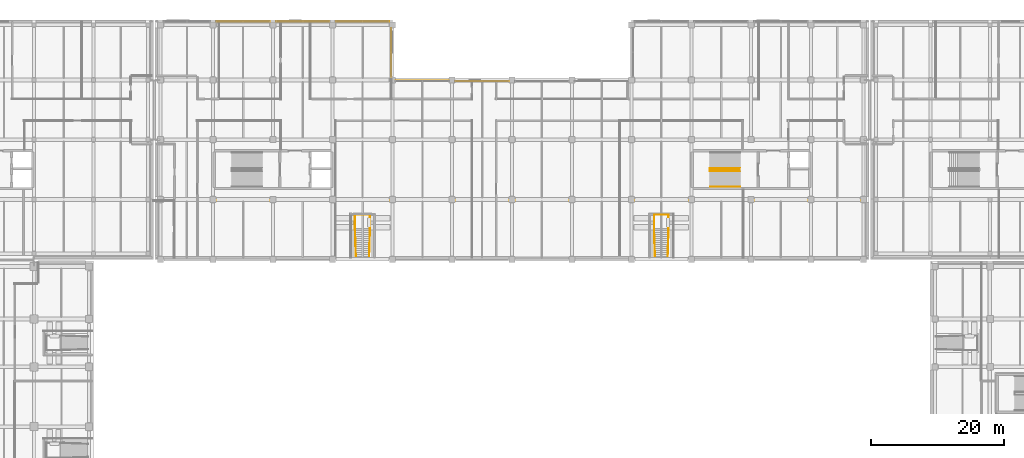
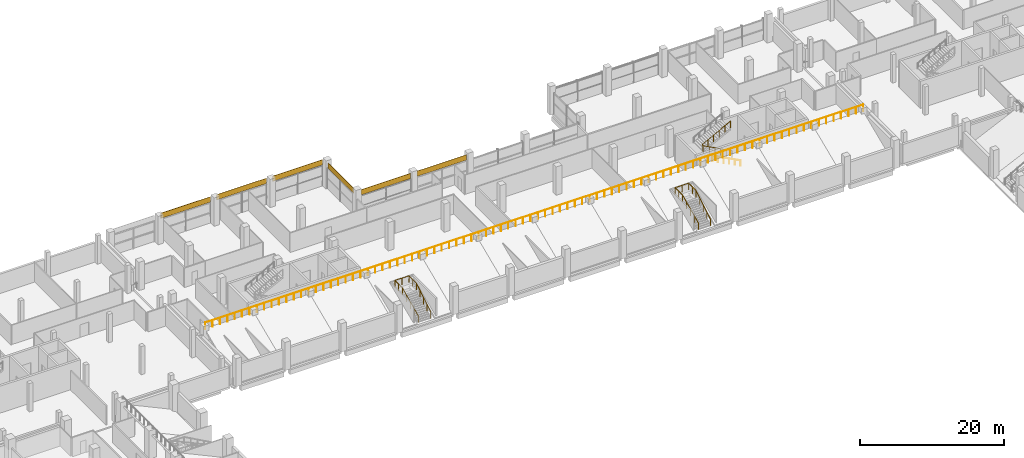
# One storey, part 98 of 100: 6 coverings, 5 railings.
"""IFC4 building model written with IfcOpenShell, lengths in metres."""

import ifcopenshell
import ifcopenshell.guid

model = None  # the IFC model being written
_history = None  # IfcOwnerHistory: only IFC2X3 demands one
_inside = {}  # id of a spatial element -> (the spatial element, [elements in it])
_under = {}  # id of a project, library or spatial element -> (it, [spatial elements below it])
_declared = {}  # id of a project -> (the project, [libraries it declares])
_typed = {}  # id of a type object -> (the type object, [elements of that type])
_made_of = {}  # id of a material, layer set ... -> (it, [elements and type objects made of it])


def new_model(schema):
    """Start an empty IFC model of exactly this schema.

    Asked for "IFC4X3", IfcOpenShell would pick the latest addendum, in which some entities
    have other attributes; the version numbers below select the first issue.
    IFC2X3 requires an IfcOwnerHistory on every rooted entity: one is made here for all.
    """
    global model, _history
    if schema == "IFC4X3":
        model = ifcopenshell.file(schema_version=(4, 3, 0, 0))
    else:
        model = ifcopenshell.file(schema=schema)
    _inside.clear()
    _under.clear()
    _declared.clear()
    _typed.clear()
    _made_of.clear()
    _history = None
    if model.schema == "IFC2X3":
        org = make("IfcOrganization", Name="unknown")
        user = make(
            "IfcPersonAndOrganization",
            ThePerson=make("IfcPerson", FamilyName="unknown"),
            TheOrganization=org,
        )
        app = make(
            "IfcApplication",
            ApplicationDeveloper=org,
            Version="unknown",
            ApplicationFullName="unknown",
            ApplicationIdentifier="unknown",
        )
        _history = make(
            "IfcOwnerHistory",
            OwningUser=user,
            OwningApplication=app,
            ChangeAction="ADDED",
            CreationDate=0,
        )
    return model


def make(cls, **values):
    """One entity of the class cls with the attributes given. An attribute that is None is left unset."""
    return model.create_entity(
        cls, **{name: value for name, value in values.items() if value is not None}
    )


def rooted(cls, **values):
    """An entity with a GlobalId (a new one), such as an element, a storey or a relation."""
    return make(cls, GlobalId=ifcopenshell.guid.new(), OwnerHistory=_history, **values)


def si_unit(unit_type, name, prefix=None):
    """IfcSIUnit, for example si_unit("LENGTHUNIT", "METRE", prefix="MILLI")."""
    return make("IfcSIUnit", UnitType=unit_type, Prefix=prefix, Name=name)


def assignment(units):
    """IfcUnitAssignment: the units of a project."""
    return None if units is None else make("IfcUnitAssignment", Units=units)


def point(xyz):
    """IfcCartesianPoint."""
    return None if xyz is None else make("IfcCartesianPoint", Coordinates=xyz)


def direction(xyz):
    """IfcDirection."""
    return None if xyz is None else make("IfcDirection", DirectionRatios=xyz)


def frame(location, z_axis=None, x_axis=None):
    """IfcAxis2Placement3D, a coordinate frame: its origin and axes. An axis left out is left unset."""
    return make(
        "IfcAxis2Placement3D",
        Location=point(location),
        Axis=direction(z_axis),
        RefDirection=direction(x_axis),
    )


def frame_2d(location, x_axis=None):
    """IfcAxis2Placement2D, a coordinate frame in the plane: its origin and x axis."""
    return make(
        "IfcAxis2Placement2D", Location=point(location), RefDirection=direction(x_axis)
    )


def origin():
    """The frame at (0, 0, 0) with its axes left unset."""
    return frame((0.0, 0.0, 0.0))


def origin_2d():
    """The frame at (0, 0) in the plane with its x axis left unset."""
    return frame_2d((0.0, 0.0))


def place(relative_to, where):
    """IfcLocalPlacement: puts the frame where relative to a parent placement (None: the world)."""
    return make(
        "IfcLocalPlacement", PlacementRelTo=relative_to, RelativePlacement=where
    )


def context(
    kind, dimensions, precision=None, world=None, true_north=None, identifier=None
):
    """IfcGeometricRepresentationContext, for example the 3D "Model" context."""
    return make(
        "IfcGeometricRepresentationContext",
        ContextIdentifier=identifier,
        ContextType=kind,
        CoordinateSpaceDimension=dimensions,
        Precision=precision,
        WorldCoordinateSystem=world,
        TrueNorth=true_north,
    )


def subcontext(parent, identifier, kind, view, scale=None):
    """IfcGeometricRepresentationSubContext, for example "Body" below "Model"."""
    return make(
        "IfcGeometricRepresentationSubContext",
        ContextIdentifier=identifier,
        ContextType=kind,
        ParentContext=parent,
        TargetScale=scale,
        TargetView=view,
    )


def project(units=None, contexts=None):
    """IfcProject with its units and contexts."""
    return rooted(
        "IfcProject",
        Name="project",
        RepresentationContexts=contexts,
        UnitsInContext=assignment(units),
    )


def spatial(cls, under=None, at=None, **own):
    """A site, building, storey or space (cls), placed at a placement, below another one or the project."""
    s = rooted(cls, ObjectPlacement=at, **own)
    if under is not None:
        _under.setdefault(under.id(), (under, []))[1].append(s)
    return s


def profile(cls, at=None, kind="AREA", **sizes):
    """A parametric profile (cls). Its sizes go by their IFC names, for example OverallWidth=200.0."""
    return make(cls, ProfileType=kind, Position=at, **sizes)


def rectangle(**sizes):
    """IfcRectangleProfileDef."""
    return profile("IfcRectangleProfileDef", **sizes)


def circle(**sizes):
    """IfcCircleProfileDef."""
    return profile("IfcCircleProfileDef", **sizes)


def extrude(swept, where, along, depth):
    """IfcExtrudedAreaSolid: the profile swept, set in the frame where, extruded along a direction by depth."""
    return make(
        "IfcExtrudedAreaSolid",
        SweptArea=swept,
        Position=where,
        ExtrudedDirection=direction(along),
        Depth=depth,
    )


def shape(context_of_items, identifier, shape_type, items):
    """IfcShapeRepresentation: the items that make up one representation, for example the "Body"."""
    return make(
        "IfcShapeRepresentation",
        ContextOfItems=context_of_items,
        RepresentationIdentifier=identifier,
        RepresentationType=shape_type,
        Items=items,
    )


def material(Name=None, Category=None):
    """IfcMaterial."""
    return make("IfcMaterial", Name=Name, Category=Category)


def layer(
    of_material, thickness, ventilated=None, Name=None, Category=None, Priority=None
):
    """IfcMaterialLayer: one layer of a wall or slab, of a material (None: an air gap)."""
    return make(
        "IfcMaterialLayer",
        Material=of_material,
        LayerThickness=thickness,
        IsVentilated=ventilated,
        Name=Name,
        Category=Category,
        Priority=Priority,
    )


def layer_set(layers, Name=None):
    """IfcMaterialLayerSet."""
    return make("IfcMaterialLayerSet", MaterialLayers=layers, LayerSetName=Name)


def made_of(thing, what):
    """Note that an element or type object is made of a material, layer set ...; save() writes the relation."""
    if what is not None:
        _made_of.setdefault(what.id(), (what, []))[1].append(thing)
    return thing


def type_object(cls, material=None, **own):
    """A type object (cls), such as IfcWallType, which elements share."""
    return made_of(rooted(cls, **own), material)


def element(
    cls,
    number,
    at=None,
    inside=None,
    cuts=None,
    type_object=None,
    material=None,
    context=None,
    identifier="Body",
    shape_type=None,
    held_by="IfcProductDefinitionShape",
    body=None,
    shapes=None,
    **own,
):
    """One element of the class cls, such as IfcWall. Its Tag is "e" and its number.

    at: its placement. inside: the storey or other place that contains it. cuts: it is an
    opening in that element (IfcRelVoidsElement). A single representation is given by context,
    identifier, shape_type and body (its items); several are given by shapes. held_by: the class
    of the entity that holds the representations. save() writes the other relations.
    """
    e = rooted(cls, Tag="e%d" % number, ObjectPlacement=at, **own)
    if body is not None:
        shapes = [shape(context, identifier, shape_type, body)]
    if shapes is not None:
        e.Representation = make(held_by, Representations=shapes)
    if inside is not None:
        _inside.setdefault(inside.id(), (inside, []))[1].append(e)
    if cuts is not None:
        rooted(
            "IfcRelVoidsElement", RelatingBuildingElement=cuts, RelatedOpeningElement=e
        )
    if type_object is not None:
        _typed.setdefault(type_object.id(), (type_object, []))[1].append(e)
    return made_of(e, material)


def aggregate(whole, parts):
    """IfcRelAggregates: a whole, such as a stair, and the parts it consists of."""
    return rooted("IfcRelAggregates", RelatingObject=whole, RelatedObjects=parts)


def save(model, path):
    """Write the relations noted so far, then the file.

    IfcRelAggregates (storeys below a building ...), IfcRelContainedInSpatialStructure (elements
    in a storey), IfcRelDefinesByType, IfcRelAssociatesMaterial and IfcRelDeclares: one each for
    every whole, place, type object, material and project.
    """
    for whole, parts in _under.values():
        aggregate(whole, parts)
    for where, things in _inside.values():
        rooted(
            "IfcRelContainedInSpatialStructure",
            RelatedElements=things,
            RelatingStructure=where,
        )
    for kind, things in _typed.values():
        rooted("IfcRelDefinesByType", RelatedObjects=things, RelatingType=kind)
    for what, things in _made_of.values():
        rooted("IfcRelAssociatesMaterial", RelatedObjects=things, RelatingMaterial=what)
    for by, libraries in _declared.values():
        rooted("IfcRelDeclares", RelatingContext=by, RelatedDefinitions=libraries)
    model.write(path)


model = new_model("IFC4")

# Units and contexts
model_context = context("Model", 3, precision=1e-05, world=origin(), true_north=direction((0.0, 1.0)))
body_context = subcontext(model_context, "Body", "Model", "MODEL_VIEW")
ifc_project = project(units=[si_unit("LENGTHUNIT", "METRE"), si_unit("AREAUNIT", "SQUARE_METRE"), si_unit("VOLUMEUNIT", "CUBIC_METRE"), si_unit("PLANEANGLEUNIT", "RADIAN"), si_unit("MASSUNIT", "GRAM", prefix="KILO"), si_unit("THERMODYNAMICTEMPERATUREUNIT", "KELVIN"), si_unit("POWERUNIT", "WATT")], contexts=[model_context])

# Site, building, storey
site_placement = place(None, origin())
site = spatial("IfcSite", under=ifc_project, at=site_placement, CompositionType="ELEMENT")
building_placement = place(site_placement, origin())
building = spatial("IfcBuilding", under=site, at=building_placement, Name="Sindhuravela Promenade Stadium", CompositionType="ELEMENT")
storey_placement = place(building_placement, frame((0.0, 0.0, 4.800048828125)))
storey = spatial("IfcBuildingStorey", under=building, at=storey_placement, Name="L01", CompositionType="ELEMENT", Elevation=4.800048828125)

# Coverings
ifc_material_1 = material(Name="Polychrome trencadis ceramic mosaic", Category="masonry")
ifc_layer_1 = layer(ifc_material_1, 0.034912109375)
ifc_layer_set_1 = layer_set([ifc_layer_1], Name="Polychrome trencadis ceramic mosaic")
covering_type_1 = type_object("IfcCoveringType", Name="CV-TRENC-1", PredefinedType="CLADDING", material=ifc_layer_set_1)
covering_1_placement = place(storey_placement, frame((76.5, 161.820068359375, 3.55517578125), z_axis=(0.0, 0.0, 1.0), x_axis=(1.0, 0.0, 0.0)))
element("IfcCovering", 1, at=covering_1_placement, inside=storey, type_object=covering_type_1, Name="Trencadis ceramic mosaic spandrel frieze NORTH L01-256", PredefinedType="CLADDING", context=body_context, shape_type="SweptSolid", body=[
    extrude(rectangle(XDim=7.969970703125, YDim=0.034912109375, at=origin_2d()), origin(), (0.0, 0.0, 1.0), 0.905029296875),
])
covering_2_placement = place(storey_placement, frame((89.820068359375, 157.14990234375, 3.55517578125), z_axis=(0.0, 0.0, 1.0), x_axis=(0.0, -1.0, 0.0)))
element("IfcCovering", 2, at=covering_2_placement, inside=storey, type_object=covering_type_1, Name="Trencadis ceramic mosaic spandrel frieze NORTH L01-258", PredefinedType="CLADDING", context=body_context, shape_type="SweptSolid", body=[
    extrude(rectangle(XDim=7.27001953125, YDim=0.034912109375, at=origin_2d()), origin(), (0.0, 0.0, 1.0), 0.905029296875),
])
covering_3_placement = place(storey_placement, frame((103.5, 152.820068359375, 3.55517578125), z_axis=(0.0, 0.0, 1.0), x_axis=(1.0, 0.0, 0.0)))
element("IfcCovering", 3, at=covering_3_placement, inside=storey, type_object=covering_type_1, Name="Trencadis ceramic mosaic spandrel frieze NORTH L01-260", PredefinedType="CLADDING", context=body_context, shape_type="SweptSolid", body=[
    extrude(rectangle(XDim=7.969970703125, YDim=0.034912109375, at=origin_2d()), origin(), (0.0, 0.0, 1.0), 0.905029296875),
])
ifc_layer_2 = layer(ifc_material_1, 0.050048828125)
ifc_layer_set_2 = layer_set([ifc_layer_2], Name="Polychrome trencadis ceramic mosaic")
covering_type_2 = type_object("IfcCoveringType", Name="CV-TRENC-2", PredefinedType="CLADDING", material=ifc_layer_set_2)
for number, where, z_axis, x_axis, name in (
    (4, (67.5, 161.820068359375, 3.55517578125), (0.0, 0.0, 1.0), (1.0, 0.0, 0.0), "Trencadis ceramic mosaic spandrel frieze NORTH L01-255"),
    (5, (85.5, 161.820068359375, 3.55517578125), (0.0, 0.0, 1.0), (1.0, 0.0, 0.0), "Trencadis ceramic mosaic spandrel frieze NORTH L01-257"),
    (6, (94.5, 152.820068359375, 3.55517578125), (0.0, 0.0, 1.0), (1.0, 0.0, 0.0), "Trencadis ceramic mosaic spandrel frieze NORTH L01-259"),
):
    element("IfcCovering", number, at=place(storey_placement, frame(where, z_axis=z_axis, x_axis=x_axis)), inside=storey, type_object=covering_type_2, Name=name, PredefinedType="CLADDING", context=body_context, shape_type="SweptSolid", body=[
        extrude(rectangle(XDim=7.969970703125, YDim=0.050048828125, at=origin_2d()), origin(), (0.0, 0.0, 1.0), 0.905029296875),
    ])

# Railings
ifc_material_2 = material(Name="Architectural wrought steel E350", Category="steel")
railing_type_1 = type_object("IfcRailingType", Name="RL-GRD-1150", PredefinedType="GUARDRAIL", material=ifc_material_2)
railing_1_placement = place(storey_placement, frame((55.10009765625, 134.85009765625, 4.050048828125)))
element("IfcRailing", 7, at=railing_1_placement, inside=storey, type_object=railing_type_1, Name="Stand bowl crowd barrier GR01-102", PredefinedType="GUARDRAIL", context=body_context, shape_type="SweptSolid", body=[
    extrude(circle(Radius=0.02392578125, at=origin_2d()), frame((0.0, 0.0, 1.1259765625), z_axis=(1.0, 0.0, 0.0), x_axis=(0.0, 1.0, 0.0)), (0.0, 0.0, 1.0), 105.7998046875),
    extrude(circle(Radius=0.02099609375, at=origin_2d()), origin(), (0.0, 0.0, 1.0), 1.101806640625),
    extrude(circle(Radius=0.02099609375, at=origin_2d()), frame((1.188720703125, 0.0, 0.0)), (0.0, 0.0, 1.0), 1.101806640625),
    extrude(circle(Radius=0.02099609375, at=origin_2d()), frame((2.37744140625, 0.0, 0.0)), (0.0, 0.0, 1.0), 1.101806640625),
    extrude(circle(Radius=0.02099609375, at=origin_2d()), frame((3.56640625, 0.0, 0.0)), (0.0, 0.0, 1.0), 1.101806640625),
    extrude(circle(Radius=0.02099609375, at=origin_2d()), frame((4.755126953125, 0.0, 0.0)), (0.0, 0.0, 1.0), 1.101806640625),
    extrude(circle(Radius=0.02099609375, at=origin_2d()), frame((5.94384765625, 0.0, 0.0)), (0.0, 0.0, 1.0), 1.101806640625),
    extrude(circle(Radius=0.02099609375, at=origin_2d()), frame((7.132568359375, 0.0, 0.0)), (0.0, 0.0, 1.0), 1.101806640625),
    extrude(circle(Radius=0.02099609375, at=origin_2d()), frame((8.3212890625, 0.0, 0.0)), (0.0, 0.0, 1.0), 1.101806640625),
    extrude(circle(Radius=0.02099609375, at=origin_2d()), frame((9.510009765625, 0.0, 0.0)), (0.0, 0.0, 1.0), 1.101806640625),
    extrude(circle(Radius=0.02099609375, at=origin_2d()), frame((10.698974609375, 0.0, 0.0)), (0.0, 0.0, 1.0), 1.101806640625),
    extrude(circle(Radius=0.02099609375, at=origin_2d()), frame((11.8876953125, 0.0, 0.0)), (0.0, 0.0, 1.0), 1.101806640625),
    extrude(circle(Radius=0.02099609375, at=origin_2d()), frame((13.076416015625, 0.0, 0.0)), (0.0, 0.0, 1.0), 1.101806640625),
    extrude(circle(Radius=0.02099609375, at=origin_2d()), frame((14.26513671875, 0.0, 0.0)), (0.0, 0.0, 1.0), 1.101806640625),
    extrude(circle(Radius=0.02099609375, at=origin_2d()), frame((15.453857421875, 0.0, 0.0)), (0.0, 0.0, 1.0), 1.101806640625),
    extrude(circle(Radius=0.02099609375, at=origin_2d()), frame((16.642578125, 0.0, 0.0)), (0.0, 0.0, 1.0), 1.101806640625),
    extrude(circle(Radius=0.02099609375, at=origin_2d()), frame((17.83154296875, 0.0, 0.0)), (0.0, 0.0, 1.0), 1.101806640625),
    extrude(circle(Radius=0.02099609375, at=origin_2d()), frame((19.020263671875, 0.0, 0.0)), (0.0, 0.0, 1.0), 1.101806640625),
    extrude(circle(Radius=0.02099609375, at=origin_2d()), frame((20.208984375, 0.0, 0.0)), (0.0, 0.0, 1.0), 1.101806640625),
    extrude(circle(Radius=0.02099609375, at=origin_2d()), frame((21.397705078125, 0.0, 0.0)), (0.0, 0.0, 1.0), 1.101806640625),
    extrude(circle(Radius=0.02099609375, at=origin_2d()), frame((22.58642578125, 0.0, 0.0)), (0.0, 0.0, 1.0), 1.101806640625),
    extrude(circle(Radius=0.02099609375, at=origin_2d()), frame((23.775146484375, 0.0, 0.0)), (0.0, 0.0, 1.0), 1.101806640625),
    extrude(circle(Radius=0.02099609375, at=origin_2d()), frame((24.964111328125, 0.0, 0.0)), (0.0, 0.0, 1.0), 1.101806640625),
    extrude(circle(Radius=0.02099609375, at=origin_2d()), frame((26.15283203125, 0.0, 0.0)), (0.0, 0.0, 1.0), 1.101806640625),
    extrude(circle(Radius=0.02099609375, at=origin_2d()), frame((27.341552734375, 0.0, 0.0)), (0.0, 0.0, 1.0), 1.101806640625),
    extrude(circle(Radius=0.02099609375, at=origin_2d()), frame((28.5302734375, 0.0, 0.0)), (0.0, 0.0, 1.0), 1.101806640625),
    extrude(circle(Radius=0.02099609375, at=origin_2d()), frame((29.718994140625, 0.0, 0.0)), (0.0, 0.0, 1.0), 1.101806640625),
    extrude(circle(Radius=0.02099609375, at=origin_2d()), frame((30.90771484375, 0.0, 0.0)), (0.0, 0.0, 1.0), 1.101806640625),
    extrude(circle(Radius=0.02099609375, at=origin_2d()), frame((32.0966796875, 0.0, 0.0)), (0.0, 0.0, 1.0), 1.101806640625),
    extrude(circle(Radius=0.02099609375, at=origin_2d()), frame((33.285400390625, 0.0, 0.0)), (0.0, 0.0, 1.0), 1.101806640625),
    extrude(circle(Radius=0.02099609375, at=origin_2d()), frame((34.47412109375, 0.0, 0.0)), (0.0, 0.0, 1.0), 1.101806640625),
    extrude(circle(Radius=0.02099609375, at=origin_2d()), frame((35.662841796875, 0.0, 0.0)), (0.0, 0.0, 1.0), 1.101806640625),
    extrude(circle(Radius=0.02099609375, at=origin_2d()), frame((36.8515625, 0.0, 0.0)), (0.0, 0.0, 1.0), 1.101806640625),
    extrude(circle(Radius=0.02099609375, at=origin_2d()), frame((38.040283203125, 0.0, 0.0)), (0.0, 0.0, 1.0), 1.101806640625),
    extrude(circle(Radius=0.02099609375, at=origin_2d()), frame((39.229248046875, 0.0, 0.0)), (0.0, 0.0, 1.0), 1.101806640625),
    extrude(circle(Radius=0.02099609375, at=origin_2d()), frame((40.41796875, 0.0, 0.0)), (0.0, 0.0, 1.0), 1.101806640625),
    extrude(circle(Radius=0.02099609375, at=origin_2d()), frame((41.606689453125, 0.0, 0.0)), (0.0, 0.0, 1.0), 1.101806640625),
    extrude(circle(Radius=0.02099609375, at=origin_2d()), frame((42.79541015625, 0.0, 0.0)), (0.0, 0.0, 1.0), 1.101806640625),
    extrude(circle(Radius=0.02099609375, at=origin_2d()), frame((43.984130859375, 0.0, 0.0)), (0.0, 0.0, 1.0), 1.101806640625),
    extrude(circle(Radius=0.02099609375, at=origin_2d()), frame((45.1728515625, 0.0, 0.0)), (0.0, 0.0, 1.0), 1.101806640625),
    extrude(circle(Radius=0.02099609375, at=origin_2d()), frame((46.36181640625, 0.0, 0.0)), (0.0, 0.0, 1.0), 1.101806640625),
    extrude(circle(Radius=0.02099609375, at=origin_2d()), frame((47.550537109375, 0.0, 0.0)), (0.0, 0.0, 1.0), 1.101806640625),
    extrude(circle(Radius=0.02099609375, at=origin_2d()), frame((48.7392578125, 0.0, 0.0)), (0.0, 0.0, 1.0), 1.101806640625),
    extrude(circle(Radius=0.02099609375, at=origin_2d()), frame((49.927978515625, 0.0, 0.0)), (0.0, 0.0, 1.0), 1.101806640625),
    extrude(circle(Radius=0.02099609375, at=origin_2d()), frame((51.11669921875, 0.0, 0.0)), (0.0, 0.0, 1.0), 1.101806640625),
    extrude(circle(Radius=0.02099609375, at=origin_2d()), frame((52.305419921875, 0.0, 0.0)), (0.0, 0.0, 1.0), 1.101806640625),
    extrude(circle(Radius=0.02099609375, at=origin_2d()), frame((53.494384765625, 0.0, 0.0)), (0.0, 0.0, 1.0), 1.101806640625),
    extrude(circle(Radius=0.02099609375, at=origin_2d()), frame((54.68310546875, 0.0, 0.0)), (0.0, 0.0, 1.0), 1.101806640625),
    extrude(circle(Radius=0.02099609375, at=origin_2d()), frame((55.871826171875, 0.0, 0.0)), (0.0, 0.0, 1.0), 1.101806640625),
    extrude(circle(Radius=0.02099609375, at=origin_2d()), frame((57.060546875, 0.0, 0.0)), (0.0, 0.0, 1.0), 1.101806640625),
    extrude(circle(Radius=0.02099609375, at=origin_2d()), frame((58.249267578125, 0.0, 0.0)), (0.0, 0.0, 1.0), 1.101806640625),
    extrude(circle(Radius=0.02099609375, at=origin_2d()), frame((59.43798828125, 0.0, 0.0)), (0.0, 0.0, 1.0), 1.101806640625),
    extrude(circle(Radius=0.02099609375, at=origin_2d()), frame((60.626953125, 0.0, 0.0)), (0.0, 0.0, 1.0), 1.101806640625),
    extrude(circle(Radius=0.02099609375, at=origin_2d()), frame((61.815673828125, 0.0, 0.0)), (0.0, 0.0, 1.0), 1.101806640625),
    extrude(circle(Radius=0.02099609375, at=origin_2d()), frame((63.00439453125, 0.0, 0.0)), (0.0, 0.0, 1.0), 1.101806640625),
    extrude(circle(Radius=0.02099609375, at=origin_2d()), frame((64.193115234375, 0.0, 0.0)), (0.0, 0.0, 1.0), 1.101806640625),
    extrude(circle(Radius=0.02099609375, at=origin_2d()), frame((65.3818359375, 0.0, 0.0)), (0.0, 0.0, 1.0), 1.101806640625),
    extrude(circle(Radius=0.02099609375, at=origin_2d()), frame((66.570556640625, 0.0, 0.0)), (0.0, 0.0, 1.0), 1.101806640625),
    extrude(circle(Radius=0.02099609375, at=origin_2d()), frame((67.759521484375, 0.0, 0.0)), (0.0, 0.0, 1.0), 1.101806640625),
    extrude(circle(Radius=0.02099609375, at=origin_2d()), frame((68.9482421875, 0.0, 0.0)), (0.0, 0.0, 1.0), 1.101806640625),
    extrude(circle(Radius=0.02099609375, at=origin_2d()), frame((70.136962890625, 0.0, 0.0)), (0.0, 0.0, 1.0), 1.101806640625),
    extrude(circle(Radius=0.02099609375, at=origin_2d()), frame((71.32568359375, 0.0, 0.0)), (0.0, 0.0, 1.0), 1.101806640625),
    extrude(circle(Radius=0.02099609375, at=origin_2d()), frame((72.514404296875, 0.0, 0.0)), (0.0, 0.0, 1.0), 1.101806640625),
    extrude(circle(Radius=0.02099609375, at=origin_2d()), frame((73.703125, 0.0, 0.0)), (0.0, 0.0, 1.0), 1.101806640625),
    extrude(circle(Radius=0.02099609375, at=origin_2d()), frame((74.89208984375, 0.0, 0.0)), (0.0, 0.0, 1.0), 1.101806640625),
    extrude(circle(Radius=0.02099609375, at=origin_2d()), frame((76.080810546875, 0.0, 0.0)), (0.0, 0.0, 1.0), 1.101806640625),
    extrude(circle(Radius=0.02099609375, at=origin_2d()), frame((77.26953125, 0.0, 0.0)), (0.0, 0.0, 1.0), 1.101806640625),
    extrude(circle(Radius=0.02099609375, at=origin_2d()), frame((78.458251953125, 0.0, 0.0)), (0.0, 0.0, 1.0), 1.101806640625),
    extrude(circle(Radius=0.02099609375, at=origin_2d()), frame((79.64697265625, 0.0, 0.0)), (0.0, 0.0, 1.0), 1.101806640625),
    extrude(circle(Radius=0.02099609375, at=origin_2d()), frame((80.835693359375, 0.0, 0.0)), (0.0, 0.0, 1.0), 1.101806640625),
    extrude(circle(Radius=0.02099609375, at=origin_2d()), frame((82.024658203125, 0.0, 0.0)), (0.0, 0.0, 1.0), 1.101806640625),
    extrude(circle(Radius=0.02099609375, at=origin_2d()), frame((83.21337890625, 0.0, 0.0)), (0.0, 0.0, 1.0), 1.101806640625),
    extrude(circle(Radius=0.02099609375, at=origin_2d()), frame((84.402099609375, 0.0, 0.0)), (0.0, 0.0, 1.0), 1.101806640625),
    extrude(circle(Radius=0.02099609375, at=origin_2d()), frame((85.5908203125, 0.0, 0.0)), (0.0, 0.0, 1.0), 1.101806640625),
    extrude(circle(Radius=0.02099609375, at=origin_2d()), frame((86.779541015625, 0.0, 0.0)), (0.0, 0.0, 1.0), 1.101806640625),
    extrude(circle(Radius=0.02099609375, at=origin_2d()), frame((87.96826171875, 0.0, 0.0)), (0.0, 0.0, 1.0), 1.101806640625),
    extrude(circle(Radius=0.02099609375, at=origin_2d()), frame((89.1572265625, 0.0, 0.0)), (0.0, 0.0, 1.0), 1.101806640625),
    extrude(circle(Radius=0.02099609375, at=origin_2d()), frame((90.345947265625, 0.0, 0.0)), (0.0, 0.0, 1.0), 1.101806640625),
    extrude(circle(Radius=0.02099609375, at=origin_2d()), frame((91.53466796875, 0.0, 0.0)), (0.0, 0.0, 1.0), 1.101806640625),
    extrude(circle(Radius=0.02099609375, at=origin_2d()), frame((92.723388671875, 0.0, 0.0)), (0.0, 0.0, 1.0), 1.101806640625),
    extrude(circle(Radius=0.02099609375, at=origin_2d()), frame((93.912109375, 0.0, 0.0)), (0.0, 0.0, 1.0), 1.101806640625),
    extrude(circle(Radius=0.02099609375, at=origin_2d()), frame((95.100830078125, 0.0, 0.0)), (0.0, 0.0, 1.0), 1.101806640625),
    extrude(circle(Radius=0.02099609375, at=origin_2d()), frame((96.289794921875, 0.0, 0.0)), (0.0, 0.0, 1.0), 1.101806640625),
    extrude(circle(Radius=0.02099609375, at=origin_2d()), frame((97.478515625, 0.0, 0.0)), (0.0, 0.0, 1.0), 1.101806640625),
    extrude(circle(Radius=0.02099609375, at=origin_2d()), frame((98.667236328125, 0.0, 0.0)), (0.0, 0.0, 1.0), 1.101806640625),
    extrude(circle(Radius=0.02099609375, at=origin_2d()), frame((99.85595703125, 0.0, 0.0)), (0.0, 0.0, 1.0), 1.101806640625),
    extrude(circle(Radius=0.02099609375, at=origin_2d()), frame((101.044677734375, 0.0, 0.0)), (0.0, 0.0, 1.0), 1.101806640625),
    extrude(circle(Radius=0.02099609375, at=origin_2d()), frame((102.2333984375, 0.0, 0.0)), (0.0, 0.0, 1.0), 1.101806640625),
    extrude(circle(Radius=0.02099609375, at=origin_2d()), frame((103.42236328125, 0.0, 0.0)), (0.0, 0.0, 1.0), 1.101806640625),
    extrude(circle(Radius=0.02099609375, at=origin_2d()), frame((104.611083984375, 0.0, 0.0)), (0.0, 0.0, 1.0), 1.101806640625),
    extrude(circle(Radius=0.02099609375, at=origin_2d()), frame((105.7998046875, 0.0, 0.0)), (0.0, 0.0, 1.0), 1.101806640625),
])
railing_2_placement = place(storey_placement, frame((142.35009765625, 139.31005859375, 0.0)))
element("IfcRailing", 8, at=railing_2_placement, inside=storey, type_object=railing_type_1, Name="Stair ST10 inner well guard (L01)", PredefinedType="GUARDRAIL", context=body_context, shape_type="SweptSolid", body=[
    extrude(circle(Radius=0.02392578125, at=origin_2d()), frame((0.0, 0.0, 1.1259765625), z_axis=(-0.8836546633431795, 0.0, 0.46813933390802775), x_axis=(0.0, -1.0, 0.0)), (0.0, 0.0, 1.0), 5.12646484375),
    extrude(circle(Radius=0.02392578125, at=origin_2d()), frame((-4.530029296875, 0.0, 3.52587890625), z_axis=(0.0, 1.0, 0.0), x_axis=(-1.0, 0.0, 0.0)), (0.0, 0.0, 1.0), 0.3798828125),
    extrude(circle(Radius=0.02392578125, at=origin_2d()), frame((-4.530029296875, 0.3798828125, 3.52587890625), z_axis=(0.8836349624059475, 0.0, 0.46817651928929505), x_axis=(0.0, 1.0, 0.0)), (0.0, 0.0, 1.0), 5.12646484375),
    extrude(circle(Radius=0.02099609375, at=origin_2d()), origin(), (0.0, 0.0, 1.0), 1.101806640625),
    extrude(circle(Radius=0.02099609375, at=origin_2d()), frame((-0.906005859375, 0.0, 0.47998046875)), (0.0, 0.0, 1.0), 1.101806640625),
    extrude(circle(Radius=0.02099609375, at=origin_2d()), frame((-1.81201171875, 0.0, 0.9599609375)), (0.0, 0.0, 1.0), 1.101806640625),
    extrude(circle(Radius=0.02099609375, at=origin_2d()), frame((-2.718017578125, 0.0, 1.43994140625)), (0.0, 0.0, 1.0), 1.101806640625),
    extrude(circle(Radius=0.02099609375, at=origin_2d()), frame((-3.6240234375, 0.0, 1.919921875)), (0.0, 0.0, 1.0), 1.101806640625),
    extrude(circle(Radius=0.02099609375, at=origin_2d()), frame((-4.530029296875, 0.0, 2.39990234375)), (0.0, 0.0, 1.0), 1.101806640625),
    extrude(circle(Radius=0.02099609375, at=origin_2d()), frame((-4.530029296875, 0.3798828125, 2.39990234375)), (0.0, 0.0, 1.0), 1.101806640625),
    extrude(circle(Radius=0.02099609375, at=origin_2d()), frame((-3.6240234375, 0.3798828125, 2.8798828125)), (0.0, 0.0, 1.0), 1.101806640625),
    extrude(circle(Radius=0.02099609375, at=origin_2d()), frame((-2.718017578125, 0.3798828125, 3.35986328125)), (0.0, 0.0, 1.0), 1.101806640625),
    extrude(circle(Radius=0.02099609375, at=origin_2d()), frame((-1.81201171875, 0.3798828125, 3.840087890625)), (0.0, 0.0, 1.0), 1.101806640625),
    extrude(circle(Radius=0.02099609375, at=origin_2d()), frame((-0.906005859375, 0.3798828125, 4.320068359375)), (0.0, 0.0, 1.0), 1.101806640625),
    extrude(circle(Radius=0.02099609375, at=origin_2d()), frame((0.0, 0.3798828125, 4.800048828125)), (0.0, 0.0, 1.0), 1.101806640625),
])
railing_3_placement = place(storey_placement, frame((86.5, 126.43994140625, 0.0)))
element("IfcRailing", 9, at=railing_3_placement, inside=storey, type_object=railing_type_1, Name="Vomitory VS09 flight & platform guard", PredefinedType="GUARDRAIL", context=body_context, shape_type="SweptSolid", body=[
    extrude(circle(Radius=0.02392578125, at=origin_2d()), frame((0.0, 0.0, 1.1259765625), z_axis=(0.02724943279216174, 0.8811503615104481, 0.47205032445970413), x_axis=(-0.9995221698767385, 0.030910061871442473, 0.0)), (0.0, 0.0, 1.0), 4.766357421875),
    extrude(circle(Radius=0.02392578125, at=origin_2d()), frame((0.1298828125, 4.199951171875, 3.3759765625), z_axis=(0.0, 1.0, 0.0), x_axis=(-1.0, 0.0, 0.0)), (0.0, 0.0, 1.0), 2.070068359375),
    extrude(circle(Radius=0.02392578125, at=origin_2d()), frame((0.1298828125, 6.27001953125, 3.3759765625), z_axis=(-1.0, 0.0, 0.0), x_axis=(0.0, -1.0, 0.0)), (0.0, 0.0, 1.0), 2.259765625),
    extrude(circle(Radius=0.02392578125, at=origin_2d()), frame((-2.1298828125, 6.27001953125, 3.3759765625), z_axis=(0.0, -1.0, 0.0), x_axis=(1.0, 0.0, 0.0)), (0.0, 0.0, 1.0), 2.070068359375),
    extrude(circle(Radius=0.02392578125, at=origin_2d()), frame((-2.1298828125, 4.199951171875, 3.3759765625), z_axis=(0.02724943279216174, -0.8811503615104481, -0.47205032445970413), x_axis=(0.9995221698767385, 0.030910061871442473, 0.0)), (0.0, 0.0, 1.0), 4.766357421875),
    extrude(circle(Radius=0.02099609375, at=origin_2d()), origin(), (0.0, 0.0, 1.0), 1.101806640625),
    extrude(circle(Radius=0.02099609375, at=origin_2d()), frame((0.032470703125, 1.050048828125, 0.5625)), (0.0, 0.0, 1.0), 1.101806640625),
    extrude(circle(Radius=0.02099609375, at=origin_2d()), frame((0.06494140625, 2.10009765625, 1.125)), (0.0, 0.0, 1.0), 1.101806640625),
    extrude(circle(Radius=0.02099609375, at=origin_2d()), frame((0.097412109375, 3.14990234375, 1.6875)), (0.0, 0.0, 1.0), 1.101806640625),
    extrude(circle(Radius=0.02099609375, at=origin_2d()), frame((0.1298828125, 4.199951171875, 2.25)), (0.0, 0.0, 1.0), 1.101806640625),
    extrude(circle(Radius=0.02099609375, at=origin_2d()), frame((0.1298828125, 5.23486328125, 2.25)), (0.0, 0.0, 1.0), 1.101806640625),
    extrude(circle(Radius=0.02099609375, at=origin_2d()), frame((0.1298828125, 6.27001953125, 2.25)), (0.0, 0.0, 1.0), 1.101806640625),
    extrude(circle(Radius=0.02099609375, at=origin_2d()), frame((-1.0, 6.27001953125, 2.25)), (0.0, 0.0, 1.0), 1.101806640625),
    extrude(circle(Radius=0.02099609375, at=origin_2d()), frame((-2.1298828125, 6.27001953125, 2.25)), (0.0, 0.0, 1.0), 1.101806640625),
    extrude(circle(Radius=0.02099609375, at=origin_2d()), frame((-2.1298828125, 5.23486328125, 2.25)), (0.0, 0.0, 1.0), 1.101806640625),
    extrude(circle(Radius=0.02099609375, at=origin_2d()), frame((-2.1298828125, 4.199951171875, 2.25)), (0.0, 0.0, 1.0), 1.101806640625),
    extrude(circle(Radius=0.02099609375, at=origin_2d()), frame((-2.097412109375, 3.14990234375, 1.6875)), (0.0, 0.0, 1.0), 1.101806640625),
    extrude(circle(Radius=0.02099609375, at=origin_2d()), frame((-2.06494140625, 2.10009765625, 1.125)), (0.0, 0.0, 1.0), 1.101806640625),
    extrude(circle(Radius=0.02099609375, at=origin_2d()), frame((-2.032470703125, 1.050048828125, 0.5625)), (0.0, 0.0, 1.0), 1.101806640625),
    extrude(circle(Radius=0.02099609375, at=origin_2d()), frame((-2.0, 0.0, 0.0)), (0.0, 0.0, 1.0), 1.101806640625),
])
railing_4_placement = place(storey_placement, frame((131.4599609375, 126.43994140625, 0.0)))
element("IfcRailing", 10, at=railing_4_placement, inside=storey, type_object=railing_type_1, Name="Vomitory VS10 flight & platform guard", PredefinedType="GUARDRAIL", context=body_context, shape_type="SweptSolid", body=[
    extrude(circle(Radius=0.02392578125, at=origin_2d()), frame((0.0, 0.0, 1.1259765625), z_axis=(0.027300615390253514, 0.8811491305038108, 0.4720496649841958), x_axis=(-0.9995203731279667, 0.03096810782289172, 0.0)), (0.0, 0.0, 1.0), 4.766357421875),
    extrude(circle(Radius=0.02392578125, at=origin_2d()), frame((0.130126953125, 4.199951171875, 3.3759765625), z_axis=(0.0, 1.0, 0.0), x_axis=(-1.0, 0.0, 0.0)), (0.0, 0.0, 1.0), 2.070068359375),
    extrude(circle(Radius=0.02392578125, at=origin_2d()), frame((0.130126953125, 6.27001953125, 3.3759765625), z_axis=(-1.0, 0.0, 0.0), x_axis=(0.0, -1.0, 0.0)), (0.0, 0.0, 1.0), 2.18017578125),
    extrude(circle(Radius=0.02392578125, at=origin_2d()), frame((-2.050048828125, 6.27001953125, 3.3759765625), z_axis=(0.0, -1.0, 0.0), x_axis=(1.0, 0.0, 0.0)), (0.0, 0.0, 1.0), 2.070068359375),
    extrude(circle(Radius=0.02392578125, at=origin_2d()), frame((-2.050048828125, 4.199951171875, 3.3759765625), z_axis=(0.027300615390253514, -0.8811491305038108, -0.4720496649841958), x_axis=(0.9995203731279667, 0.03096810782289172, 0.0)), (0.0, 0.0, 1.0), 4.766357421875),
    extrude(circle(Radius=0.02099609375, at=origin_2d()), origin(), (0.0, 0.0, 1.0), 1.101806640625),
    extrude(circle(Radius=0.02099609375, at=origin_2d()), frame((0.032470703125, 1.050048828125, 0.5625)), (0.0, 0.0, 1.0), 1.101806640625),
    extrude(circle(Radius=0.02099609375, at=origin_2d()), frame((0.06494140625, 2.10009765625, 1.125)), (0.0, 0.0, 1.0), 1.101806640625),
    extrude(circle(Radius=0.02099609375, at=origin_2d()), frame((0.09765625, 3.14990234375, 1.6875)), (0.0, 0.0, 1.0), 1.101806640625),
    extrude(circle(Radius=0.02099609375, at=origin_2d()), frame((0.130126953125, 4.199951171875, 2.25)), (0.0, 0.0, 1.0), 1.101806640625),
    extrude(circle(Radius=0.02099609375, at=origin_2d()), frame((0.130126953125, 5.23486328125, 2.25)), (0.0, 0.0, 1.0), 1.101806640625),
    extrude(circle(Radius=0.02099609375, at=origin_2d()), frame((0.130126953125, 6.27001953125, 2.25)), (0.0, 0.0, 1.0), 1.101806640625),
    extrude(circle(Radius=0.02099609375, at=origin_2d()), frame((-0.9599609375, 6.27001953125, 2.25)), (0.0, 0.0, 1.0), 1.101806640625),
    extrude(circle(Radius=0.02099609375, at=origin_2d()), frame((-2.050048828125, 6.27001953125, 2.25)), (0.0, 0.0, 1.0), 1.101806640625),
    extrude(circle(Radius=0.02099609375, at=origin_2d()), frame((-2.050048828125, 5.23486328125, 2.25)), (0.0, 0.0, 1.0), 1.101806640625),
    extrude(circle(Radius=0.02099609375, at=origin_2d()), frame((-2.050048828125, 4.199951171875, 2.25)), (0.0, 0.0, 1.0), 1.101806640625),
    extrude(circle(Radius=0.02099609375, at=origin_2d()), frame((-2.017578125, 3.14990234375, 1.6875)), (0.0, 0.0, 1.0), 1.101806640625),
    extrude(circle(Radius=0.02099609375, at=origin_2d()), frame((-1.98486328125, 2.10009765625, 1.125)), (0.0, 0.0, 1.0), 1.101806640625),
    extrude(circle(Radius=0.02099609375, at=origin_2d()), frame((-1.952392578125, 1.050048828125, 0.5625)), (0.0, 0.0, 1.0), 1.101806640625),
    extrude(circle(Radius=0.02099609375, at=origin_2d()), frame((-1.919921875, 0.0, 0.0)), (0.0, 0.0, 1.0), 1.101806640625),
])
railing_type_2 = type_object("IfcRailingType", Name="RL-HND-920", PredefinedType="HANDRAIL", material=ifc_material_2)
railing_5_placement = place(storey_placement, frame((142.35009765625, 136.919921875, 0.0)))
element("IfcRailing", 11, at=railing_5_placement, inside=storey, type_object=railing_type_2, Name="Stair ST10 lower wall handrail (L01)", PredefinedType="HANDRAIL", context=body_context, shape_type="SweptSolid", body=[
    extrude(circle(Radius=0.02392578125, at=origin_2d()), frame((0.0, 0.0, 0.89599609375), z_axis=(-0.8823608919668723, 0.0, 0.4705733272588083), x_axis=(0.0, -1.0, 0.0)), (0.0, 0.0, 1.0), 5.099853515625),
    extrude(circle(Radius=0.02099609375, at=origin_2d()), origin(), (0.0, 0.0, 1.0), 0.871826171875),
    extrude(circle(Radius=0.02099609375, at=origin_2d()), frame((-0.89990234375, 0.0, 0.47998046875)), (0.0, 0.0, 1.0), 0.871826171875),
    extrude(circle(Radius=0.02099609375, at=origin_2d()), frame((-1.800048828125, 0.0, 0.9599609375)), (0.0, 0.0, 1.0), 0.871826171875),
    extrude(circle(Radius=0.02099609375, at=origin_2d()), frame((-2.699951171875, 0.0, 1.43994140625)), (0.0, 0.0, 1.0), 0.871826171875),
    extrude(circle(Radius=0.02099609375, at=origin_2d()), frame((-3.60009765625, 0.0, 1.919921875)), (0.0, 0.0, 1.0), 0.871826171875),
    extrude(circle(Radius=0.02099609375, at=origin_2d()), frame((-4.5, 0.0, 2.39990234375)), (0.0, 0.0, 1.0), 0.871826171875),
])

save(model, "model.ifc")
